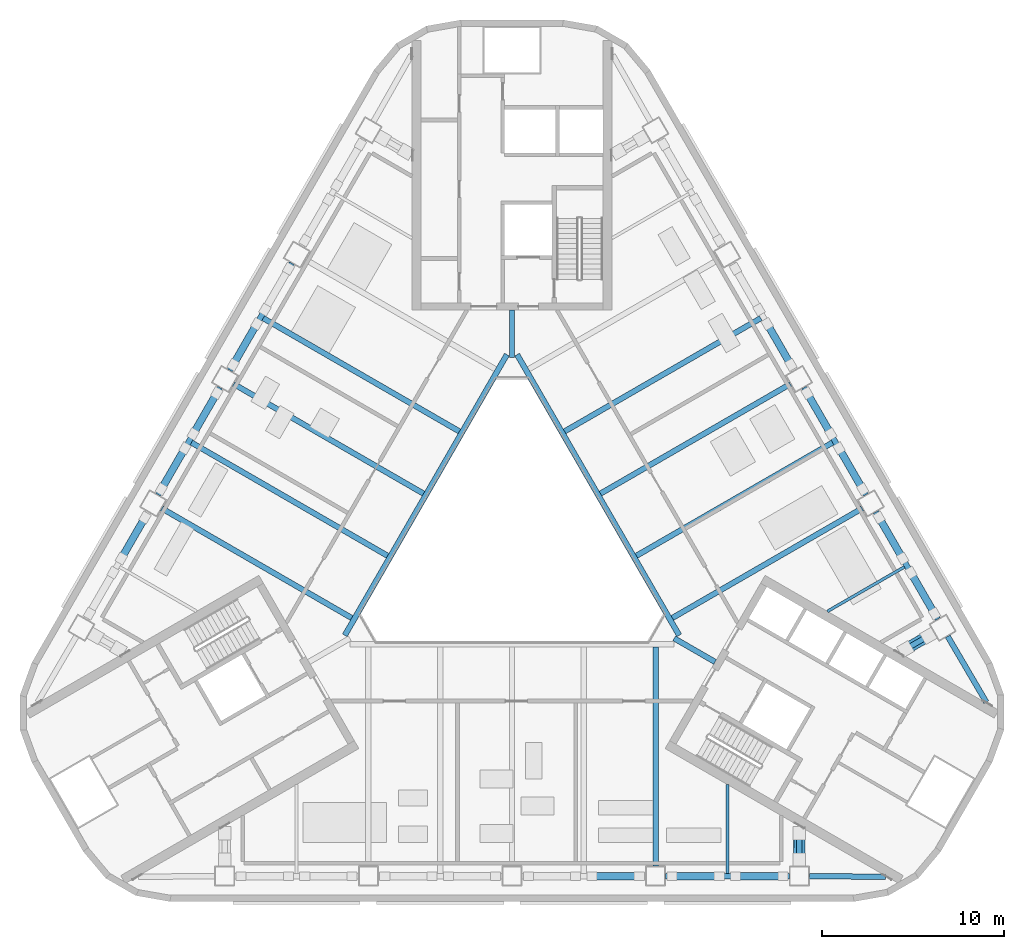
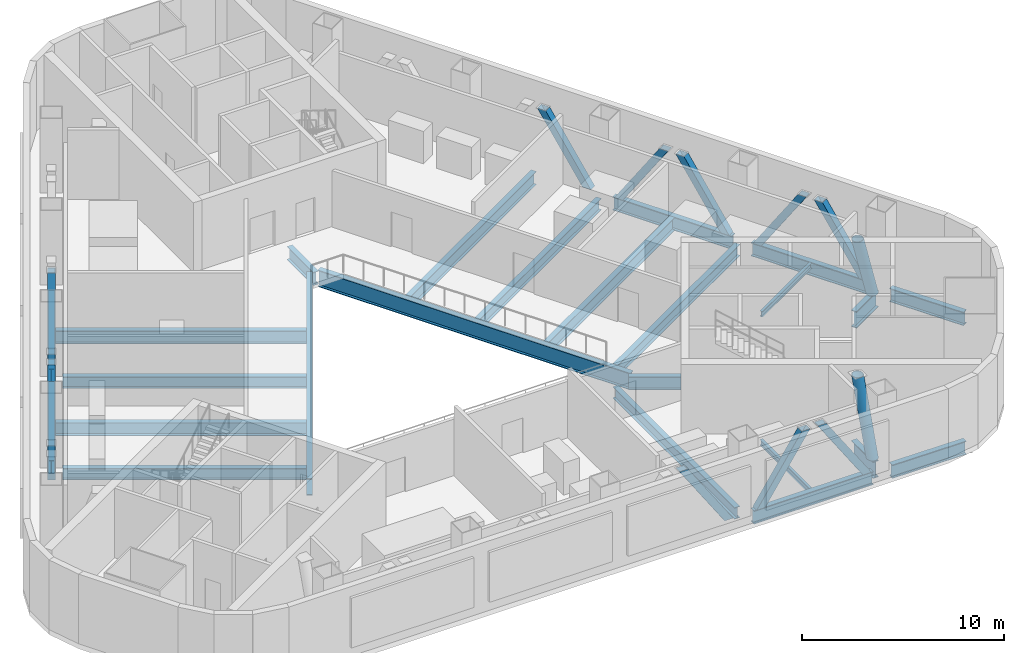
# One storey, part 2 of 15: 23 members, 15 beams.
"""IFC4 building model written with IfcOpenShell, lengths in metres."""

from ifc_helpers import new_model, si_unit, direction, frame, origin, origin_2d, place, context, subcontext, project, spatial, hollow_rectangle, hollow_circle, i_section, extrude, boolean, halfspace, material, material_profile, profile_set, type_object, element, save


model = new_model("IFC4")

# Units and contexts
model_context = context("Model", 3, precision=1e-05, world=origin(), true_north=direction((0.0, 1.0)))
body_context = subcontext(model_context, "Body", "Model", "MODEL_VIEW")
ifc_project = project(units=[si_unit("LENGTHUNIT", "METRE"), si_unit("AREAUNIT", "SQUARE_METRE"), si_unit("VOLUMEUNIT", "CUBIC_METRE"), si_unit("PLANEANGLEUNIT", "RADIAN"), si_unit("MASSUNIT", "GRAM", prefix="KILO")], contexts=[model_context])

# Site, building, storey
site_placement = place(None, origin())
site = spatial("IfcSite", under=ifc_project, at=site_placement, CompositionType="ELEMENT")
building_placement = place(site_placement, origin())
building = spatial("IfcBuilding", under=site, at=building_placement, Name="Apuvela Tower Hotel", CompositionType="ELEMENT")
storey_placement = place(building_placement, frame((0.0, 0.0, 37.5)))
storey = spatial("IfcBuildingStorey", under=building, at=storey_placement, Name="L06 Plant", CompositionType="ELEMENT", Elevation=37.5)

# Beams
ifc_material = material(Name="Steel S355", Category="steel")
ifc_material_profile_1 = material_profile(ifc_material, i_section(OverallWidth=0.300048828125, OverallDepth=0.68994140625, WebThickness=0.014404296875, FlangeThickness=0.027099609375, at=origin_2d()), Name="HE 700 A")
ifc_profile_set_1 = profile_set([ifc_material_profile_1], Name="Steel S355")
beam_type_1 = type_object("IfcBeamType", Name="STR-B floor beam HE 700 A", PredefinedType="BEAM", material=ifc_profile_set_1)
for number, where, z_axis, x_axis, name in (
    (1, (19.26123046875, 1.998291015625, -0.64501953125), (-0.866029136187, -0.499993535233, 0.0), (0.499993535233, -0.866029136187, 0.0), "Floor beam B6 NE3"),
    (2, (15.311279296875, 8.840087890625, -0.64501953125), (-0.866020368762, -0.500008720812, 0.0), (0.500008720812, -0.866020368762, 0.0), "Floor beam B6 NE5"),
    (3, (-15.311279296875, 8.840087890625, -0.64501953125), (0.866020368762, -0.500008720812, 0.0), (0.500008720812, 0.866020368762, 0.0), "Floor beam B6 NW5"),
    (4, (-19.26123046875, 1.998291015625, -0.64501953125), (0.866029136187, -0.499993535233, 0.0), (0.499993535233, 0.866029136187, 0.0), "Floor beam B6 NW7"),
    (5, (7.89990234375, -17.679931640625, -0.64501953125), (0.0, 1.0, 0.0), (-1.0, 0.0, 0.0), "Floor beam B6 S7"),
):
    element("IfcBeam", number, at=place(storey_placement, frame(where, z_axis=z_axis, x_axis=x_axis)), inside=storey, type_object=beam_type_1, Name=name, PredefinedType="BEAM", context=body_context, shape_type="SweptSolid", body=[
        extrude(i_section(OverallWidth=0.300048828125, OverallDepth=0.68994140625, WebThickness=0.014404296875, FlangeThickness=0.027099609375, at=origin_2d()), origin(), (0.0, 0.0, 1.0), 12.057861328125),
    ])
ifc_material_profile_2 = material_profile(ifc_material, i_section(OverallWidth=0.300048828125, OverallDepth=0.7900390625, WebThickness=0.014892578125, FlangeThickness=0.028076171875, at=origin_2d()), Name="HE 800 A")
ifc_profile_set_2 = profile_set([ifc_material_profile_2], Name="Steel S355")
beam_type_2 = type_object("IfcBeamType", Name="STR-B floor beam HE 800 A", PredefinedType="BEAM", material=ifc_profile_set_2)
for number, where, z_axis, x_axis, name in (
    (6, (17.63134765625, 5.618408203125, -0.695068359375), (-0.866023697878, -0.500002954704, 0.0), (0.500002954704, -0.866023697878, 0.0), "Floor beam B5 NE4"),
    (7, (13.681396484375, 12.460205078125, -0.695068359375), (-0.866015210969, -0.500017654059, 0.0), (0.500017654059, -0.866015210969, 0.0), "Floor beam B5 NE6"),
    (8, (-13.681396484375, 12.460205078125, -0.695068359375), (0.866015210969, -0.500017654059, 0.0), (0.500017654059, 0.866015210969, 0.0), "Floor beam B5 NW4"),
    (9, (-17.63134765625, 5.618408203125, -0.695068359375), (0.866023697878, -0.500002954704, 0.0), (0.500002954704, 0.866023697878, 0.0), "Floor beam B5 NW6"),
):
    element("IfcBeam", number, at=place(storey_placement, frame(where, z_axis=z_axis, x_axis=x_axis)), inside=storey, type_object=beam_type_2, Name=name, PredefinedType="BEAM", context=body_context, shape_type="SweptSolid", body=[
        extrude(i_section(OverallWidth=0.300048828125, OverallDepth=0.7900390625, WebThickness=0.014892578125, FlangeThickness=0.028076171875, at=origin_2d()), origin(), (0.0, 0.0, 1.0), 12.45654296875),
    ])
ifc_material_profile_3 = material_profile(ifc_material, i_section(OverallWidth=0.159912109375, OverallDepth=0.330078125, WebThickness=0.007568359375, FlangeThickness=0.011474609375, at=origin_2d()), Name="IPE 330")
ifc_profile_set_3 = profile_set([ifc_material_profile_3], Name="Steel S355")
beam_type_3 = type_object("IfcBeamType", Name="STR-B floor beam IPE 330", PredefinedType="BEAM", material=ifc_profile_set_3)
beam_1_placement = place(storey_placement, frame((21.581298828125, -1.22314453125, -0.465087890625), z_axis=(-0.866005010506, -0.500035320531, 0.0), x_axis=(0.500035320531, -0.866005010506, 0.0)))
element("IfcBeam", 10, at=beam_1_placement, inside=storey, type_object=beam_type_3, Name="Floor beam B1 NE2", PredefinedType="BEAM", context=body_context, shape_type="SweptSolid", body=[
    extrude(i_section(OverallWidth=0.159912109375, OverallDepth=0.330078125, WebThickness=0.007568359375, FlangeThickness=0.011474609375, at=origin_2d()), origin(), (0.0, 0.0, 1.0), 4.885986328125),
])
beam_2_placement = place(storey_placement, frame((11.85009765625, -18.07861328125, -0.465087890625), z_axis=(0.0, 1.0, 0.0), x_axis=(-1.0, 0.0, 0.0)))
element("IfcBeam", 11, at=beam_2_placement, inside=storey, type_object=beam_type_3, Name="Floor beam B1 S8", PredefinedType="BEAM", context=body_context, shape_type="SweptSolid", body=[
    extrude(i_section(OverallWidth=0.159912109375, OverallDepth=0.330078125, WebThickness=0.007568359375, FlangeThickness=0.011474609375, at=origin_2d()), origin(), (0.0, 0.0, 1.0), 4.88623046875),
])
ifc_material_profile_4 = material_profile(ifc_material, i_section(OverallWidth=0.302001953125, OverallDepth=1.008056640625, WebThickness=0.02099609375, FlangeThickness=0.0400390625, at=origin_2d()), Name="HE 1000 M")
ifc_profile_set_4 = profile_set([ifc_material_profile_4], Name="Steel S355")
beam_type_4 = type_object("IfcBeamType", Name="STR-G atrium ring girder HE 1000 M", PredefinedType="BEAM", material=ifc_profile_set_4)
for number, where, z_axis, x_axis, name in (
    (12, (-0.28076171875, 10.455810546875, -0.803955078125), (-0.500000611842, -0.866025050537, 0.0), (0.866025050537, -0.500000611842, 0.0), "Atrium ring girder G1 N-SW"),
    (13, (9.1953125, -4.984619140625, -0.803955078125), (-0.500000611842, 0.866025050537, 0.0), (-0.866025050537, -0.500000611842, 0.0), "Atrium ring girder G1 SE-N"),
):
    element("IfcBeam", number, at=place(storey_placement, frame(where, z_axis=z_axis, x_axis=x_axis)), inside=storey, type_object=beam_type_4, Name=name, PredefinedType="BEAM", context=body_context, shape_type="SweptSolid", body=[
        extrude(i_section(OverallWidth=0.302001953125, OverallDepth=1.008056640625, WebThickness=0.02099609375, FlangeThickness=0.0400390625, at=origin_2d()), origin(), (0.0, 0.0, 1.0), 17.8291015625),
    ])
ifc_material_profile_5 = material_profile(ifc_material, i_section(OverallWidth=0.300048828125, OverallDepth=0.800048828125, WebThickness=0.017578125, FlangeThickness=0.032958984375, at=origin_2d()), Name="HE 800 B")
ifc_profile_set_5 = profile_set([ifc_material_profile_5], Name="Steel S355")
beam_type_5 = type_object("IfcBeamType", Name="STR-GT core tie beam HE 800 B", PredefinedType="BEAM", material=ifc_profile_set_5)
for number, where, z_axis, x_axis, name in (
    (14, (0.0, 12.89990234375, -0.699951171875), (0.0, -1.0, 0.0), (1.0, 0.0, 0.0), "Core tie beam GT1 N"),
    (15, (11.171630859375, -6.449951171875, -0.699951171875), (-0.865997922154, 0.500047596559, 0.0), (-0.500047596559, -0.865997922154, 0.0), "Core tie beam GT1 SE"),
):
    element("IfcBeam", number, at=place(storey_placement, frame(where, z_axis=z_axis, x_axis=x_axis)), inside=storey, type_object=beam_type_5, Name=name, PredefinedType="BEAM", context=body_context, shape_type="SweptSolid", body=[
        extrude(i_section(OverallWidth=0.300048828125, OverallDepth=0.800048828125, WebThickness=0.017578125, FlangeThickness=0.032958984375, at=origin_2d()), origin(), (0.0, 0.0, 1.0), 2.599853515625),
    ])

# Members
ifc_material_profile_6 = material_profile(ifc_material, i_section(OverallWidth=0.302978515625, OverallDepth=0.81396484375, WebThickness=0.02099609375, FlangeThickness=0.0400390625, at=origin_2d()), Name="HE 800 M")
ifc_profile_set_6 = profile_set([ifc_material_profile_6], Name="Steel S355")
member_type_1 = type_object("IfcMemberType", Name="STR-T0 belt truss chord HE 800 M", PredefinedType="CHORD", material=ifc_profile_set_6)
member_1_placement = place(storey_placement, frame((8.449951171875, -18.22998046875, -0.70703125), z_axis=(1.0, 0.0, 0.0), x_axis=(0.0, 1.0, 0.0)))
element("IfcMember", 16, at=member_1_placement, inside=storey, type_object=member_type_1, Name="Belt chord BT1 S4", PredefinedType="CHORD", context=body_context, shape_type="SweptSolid", body=[
    extrude(i_section(OverallWidth=0.302978515625, OverallDepth=0.81396484375, WebThickness=0.02099609375, FlangeThickness=0.0400390625, at=origin_2d()), origin(), (0.0, 0.0, 1.0), 6.800048828125),
])
member_2_placement = place(storey_placement, frame((23.41259765625, -4.091796875, -0.70703125), z_axis=(-0.499992841449, 0.866029536736, 0.0), x_axis=(-0.866029536736, -0.499992841449, 0.0)))
element("IfcMember", 17, at=member_2_placement, inside=storey, type_object=member_type_1, Name="Belt chord BT1 NE1", PredefinedType="CHORD", context=body_context, shape_type="SweptSolid", body=[
    extrude(i_section(OverallWidth=0.302978515625, OverallDepth=0.81396484375, WebThickness=0.02099609375, FlangeThickness=0.0400390625, at=origin_2d()), origin(), (0.0, 0.0, 1.0), 6.7998046875),
])
for number, where, z_axis, x_axis, name in (
    (18, (19.462646484375, 2.749755859375, -0.70703125), (-0.500019768644, 0.866013990052, 0.0), (-0.866013990052, -0.500019768644, 0.0), "Belt chord BT1 NE2"),
    (19, (-12.112548828125, 15.480224609375, -0.70703125), (-0.500019768644, -0.866013990052, 0.0), (0.866013990052, -0.500019768644, 0.0), "Belt chord BT1 NW2"),
    (20, (-16.0625, 8.638671875, -0.70703125), (-0.500019768644, -0.866013990052, 0.0), (0.866013990052, -0.500019768644, 0.0), "Belt chord BT1 NW3"),
):
    element("IfcMember", number, at=place(storey_placement, frame(where, z_axis=z_axis, x_axis=x_axis)), inside=storey, type_object=member_type_1, Name=name, PredefinedType="CHORD", context=body_context, shape_type="SweptSolid", body=[
        extrude(i_section(OverallWidth=0.302978515625, OverallDepth=0.81396484375, WebThickness=0.02099609375, FlangeThickness=0.0400390625, at=origin_2d()), origin(), (0.0, 0.0, 1.0), 6.800048828125),
    ])
member_3_placement = place(storey_placement, frame((16.35009765625, -18.23388671875, -0.70703125), z_axis=(0.999976495178, -0.006856317631, 0.0), x_axis=(0.006856317631, 0.999976495178, 0.0)))
element("IfcMember", 21, at=member_3_placement, inside=storey, type_object=member_type_1, Name="Belt chord BT1 S5-SE", PredefinedType="CHORD", context=body_context, shape_type="SweptSolid", body=[
    extrude(i_section(OverallWidth=0.302978515625, OverallDepth=0.81396484375, WebThickness=0.02099609375, FlangeThickness=0.0400390625, at=origin_2d()), origin(), (0.0, 0.0, 1.0), 4.20166015625),
])
member_4_placement = place(storey_placement, frame((23.9658203125, -5.04248046875, -0.70703125), z_axis=(0.505943145698, -0.862566828322, 0.0), x_axis=(0.862566828322, 0.505943145698, 0.0)))
element("IfcMember", 22, at=member_4_placement, inside=storey, type_object=member_type_1, Name="Belt chord BT1 NE1-SE", PredefinedType="CHORD", context=body_context, shape_type="SweptSolid", body=[
    extrude(i_section(OverallWidth=0.302978515625, OverallDepth=0.81396484375, WebThickness=0.02099609375, FlangeThickness=0.0400390625, at=origin_2d()), origin(), (0.0, 0.0, 1.0), 4.201904296875),
])
ifc_material_profile_7 = material_profile(ifc_material, hollow_rectangle(XDim=0.39990234375, YDim=0.39990234375, WallThickness=0.02001953125, at=origin_2d()), Name="SHS 400x400x20")
ifc_profile_set_7 = profile_set([ifc_material_profile_7], Name="Steel S355")
member_type_2 = type_object("IfcMemberType", Name="STR-T0 belt truss diagonal SHS 400x400x20", PredefinedType="BRACE", material=ifc_profile_set_7)
member_5_placement = place(storey_placement, frame((7.0, -18.22998046875, -0.300048828125), z_axis=(-0.554700196225, 0.0, 0.832050294338), x_axis=(0.832050294338, 0.0, 0.554700196225)))
solid_1 = boolean("DIFFERENCE", boolean("DIFFERENCE", extrude(hollow_rectangle(XDim=0.39990234375, YDim=0.39990234375, WallThickness=0.02001953125, at=origin_2d()), frame((0.0, 0.0, -0.25341796875)), (0.0, 0.0, 1.0), 5.194091796875), halfspace(frame((0.0, 0.0, 0.024169921875), z_axis=(0.554700196225, 0.0, 0.832050294338), x_axis=(0.832050294338, 0.0, -0.554700196225)), True)), halfspace(frame((0.0, 0.0, 4.663330078125), z_axis=(0.554700196225, 0.0, 0.832050294338), x_axis=(0.832050294338, 0.0, -0.554700196225)), False))
element("IfcMember", 23, at=member_5_placement, inside=storey, type_object=member_type_2, Name="Belt truss diagonal BR1 S3", PredefinedType="BRACE", context=body_context, shape_type="SweptSolid", body=[
    boolean("UNION", boolean("DIFFERENCE", boolean("DIFFERENCE", extrude(hollow_rectangle(XDim=0.39990234375, YDim=0.39990234375, WallThickness=0.02001953125, at=origin_2d()), origin(), (0.0, 0.0, 1.0), 4.6875), halfspace(frame((0.0, 0.0, 0.024169921875), z_axis=(0.554700196225, 0.0, 0.832050294338), x_axis=(0.832050294338, 0.0, -0.554700196225)), True)), halfspace(frame((0.0, 0.0, 4.663330078125), z_axis=(0.554700196225, 0.0, 0.832050294338), x_axis=(0.832050294338, 0.0, -0.554700196225)), False)), solid_1),
])
member_6_placement = place(storey_placement, frame((8.800048828125, -18.22998046875, -0.300048828125), z_axis=(0.554664136145, 0.0, 0.832074333263), x_axis=(-0.832074333263, 0.0, 0.554664136145)))
solid_2 = boolean("DIFFERENCE", boolean("DIFFERENCE", extrude(hollow_rectangle(XDim=0.39990234375, YDim=0.39990234375, WallThickness=0.02001953125, at=origin_2d()), frame((0.0, 0.0, -0.25341796875)), (0.0, 0.0, 1.0), 5.19384765625), halfspace(frame((0.0, 0.0, 0.024169921875), z_axis=(0.554664136145, 0.0, 0.832074333263), x_axis=(0.832074333263, 0.0, -0.554664136145)), True)), halfspace(frame((0.0, 0.0, 4.6630859375), z_axis=(0.554664136145, 0.0, 0.832074333263), x_axis=(0.832074333263, 0.0, -0.554664136145)), False))
element("IfcMember", 24, at=member_6_placement, inside=storey, type_object=member_type_2, Name="Belt truss diagonal BR1 S4", PredefinedType="BRACE", context=body_context, shape_type="SweptSolid", body=[
    boolean("UNION", boolean("DIFFERENCE", boolean("DIFFERENCE", extrude(hollow_rectangle(XDim=0.39990234375, YDim=0.39990234375, WallThickness=0.02001953125, at=origin_2d()), origin(), (0.0, 0.0, 1.0), 4.687255859375), halfspace(frame((0.0, 0.0, 0.024169921875), z_axis=(0.554664136145, 0.0, 0.832074333263), x_axis=(0.832074333263, 0.0, -0.554664136145)), True)), halfspace(frame((0.0, 0.0, 4.6630859375), z_axis=(0.554664136145, 0.0, 0.832074333263), x_axis=(0.832074333263, 0.0, -0.554664136145)), False)), solid_2),
])
member_7_placement = place(storey_placement, frame((14.89990234375, -18.22998046875, -0.300048828125), z_axis=(-0.554664136145, 0.0, 0.832074333263), x_axis=(0.832074333263, 0.0, 0.554664136145)))
solid_3 = boolean("DIFFERENCE", boolean("DIFFERENCE", extrude(hollow_rectangle(XDim=0.39990234375, YDim=0.39990234375, WallThickness=0.02001953125, at=origin_2d()), frame((0.0, 0.0, -0.25341796875)), (0.0, 0.0, 1.0), 5.19384765625), halfspace(frame((0.0, 0.0, 0.024169921875), z_axis=(0.554664136145, 0.0, 0.832074333263), x_axis=(0.832074333263, 0.0, -0.554664136145)), True)), halfspace(frame((0.0, 0.0, 4.6630859375), z_axis=(0.554664136145, 0.0, 0.832074333263), x_axis=(0.832074333263, 0.0, -0.554664136145)), False))
element("IfcMember", 25, at=member_7_placement, inside=storey, type_object=member_type_2, Name="Belt truss diagonal BR1 S4", PredefinedType="BRACE", context=body_context, shape_type="SweptSolid", body=[
    boolean("UNION", boolean("DIFFERENCE", boolean("DIFFERENCE", extrude(hollow_rectangle(XDim=0.39990234375, YDim=0.39990234375, WallThickness=0.02001953125, at=origin_2d()), origin(), (0.0, 0.0, 1.0), 4.687255859375), halfspace(frame((0.0, 0.0, 0.024169921875), z_axis=(0.554664136145, 0.0, 0.832074333263), x_axis=(0.832074333263, 0.0, -0.554664136145)), True)), halfspace(frame((0.0, 0.0, 4.6630859375), z_axis=(0.554664136145, 0.0, 0.832074333263), x_axis=(0.832074333263, 0.0, -0.554664136145)), False)), solid_3),
])
member_8_placement = place(storey_placement, frame((23.237548828125, -3.788818359375, -0.300048828125), z_axis=(-0.277351281637, 0.48037762827, 0.832053844911), x_axis=(0.416032692245, -0.720576435789, 0.554694870328)))
solid_4 = boolean("DIFFERENCE", boolean("DIFFERENCE", extrude(hollow_rectangle(XDim=0.39990234375, YDim=0.39990234375, WallThickness=0.02001953125, at=origin_2d()), frame((0.0, 0.0, -0.25341796875)), (0.0, 0.0, 1.0), 5.194091796875), halfspace(frame((0.0, 0.0, 0.024169921875), z_axis=(0.554694870328, 0.0, 0.832053844911), x_axis=(0.832053844911, 0.0, -0.554694870328)), True)), halfspace(frame((0.0, 0.0, 4.663330078125), z_axis=(0.554694870328, 0.0, 0.832053844911), x_axis=(0.832053844911, 0.0, -0.554694870328)), False))
element("IfcMember", 26, at=member_8_placement, inside=storey, type_object=member_type_2, Name="Belt truss diagonal BR1 NE1", PredefinedType="BRACE", context=body_context, shape_type="SweptSolid", body=[
    boolean("UNION", boolean("DIFFERENCE", boolean("DIFFERENCE", extrude(hollow_rectangle(XDim=0.39990234375, YDim=0.39990234375, WallThickness=0.02001953125, at=origin_2d()), origin(), (0.0, 0.0, 1.0), 4.687255859375), halfspace(frame((0.0, 0.0, 0.024169921875), z_axis=(0.554694870328, 0.0, 0.832053844911), x_axis=(0.832053844911, 0.0, -0.554694870328)), True)), halfspace(frame((0.0, 0.0, 4.663330078125), z_axis=(0.554694870328, 0.0, 0.832053844911), x_axis=(0.832053844911, 0.0, -0.554694870328)), False)), solid_4),
])
member_9_placement = place(storey_placement, frame((20.1875, 1.493896484375, -0.300048828125), z_axis=(0.277351281637, -0.48037762827, 0.832053844911), x_axis=(-0.416032692245, 0.720576435789, 0.554694870328)))
solid_5 = boolean("DIFFERENCE", boolean("DIFFERENCE", extrude(hollow_rectangle(XDim=0.39990234375, YDim=0.39990234375, WallThickness=0.02001953125, at=origin_2d()), frame((0.0, 0.0, -0.25341796875)), (0.0, 0.0, 1.0), 5.194091796875), halfspace(frame((0.0, 0.0, 0.024169921875), z_axis=(0.554694870328, 0.0, 0.832053844911), x_axis=(0.832053844911, 0.0, -0.554694870328)), True)), halfspace(frame((0.0, 0.0, 4.663330078125), z_axis=(0.554694870328, 0.0, 0.832053844911), x_axis=(0.832053844911, 0.0, -0.554694870328)), False))
element("IfcMember", 27, at=member_9_placement, inside=storey, type_object=member_type_2, Name="Belt truss diagonal BR1 NE1", PredefinedType="BRACE", context=body_context, shape_type="SweptSolid", body=[
    boolean("UNION", boolean("DIFFERENCE", boolean("DIFFERENCE", extrude(hollow_rectangle(XDim=0.39990234375, YDim=0.39990234375, WallThickness=0.02001953125, at=origin_2d()), origin(), (0.0, 0.0, 1.0), 4.687255859375), halfspace(frame((0.0, 0.0, 0.024169921875), z_axis=(0.554694870328, 0.0, 0.832053844911), x_axis=(0.832053844911, 0.0, -0.554694870328)), True)), halfspace(frame((0.0, 0.0, 4.663330078125), z_axis=(0.554694870328, 0.0, 0.832053844911), x_axis=(0.832053844911, 0.0, -0.554694870328)), False)), solid_5),
])
member_10_placement = place(storey_placement, frame((19.28759765625, 3.052734375, -0.300048828125), z_axis=(-0.277351281637, 0.48037762827, 0.832053844911), x_axis=(0.416032692245, -0.720576435789, 0.554694870328)))
solid_6 = boolean("DIFFERENCE", boolean("DIFFERENCE", extrude(hollow_rectangle(XDim=0.39990234375, YDim=0.39990234375, WallThickness=0.02001953125, at=origin_2d()), frame((0.0, 0.0, -0.25341796875)), (0.0, 0.0, 1.0), 5.194091796875), halfspace(frame((0.0, 0.0, 0.024169921875), z_axis=(0.554694870328, 0.0, 0.832053844911), x_axis=(0.832053844911, 0.0, -0.554694870328)), True)), halfspace(frame((0.0, 0.0, 4.663330078125), z_axis=(0.554694870328, 0.0, 0.832053844911), x_axis=(0.832053844911, 0.0, -0.554694870328)), False))
element("IfcMember", 28, at=member_10_placement, inside=storey, type_object=member_type_2, Name="Belt truss diagonal BR1 NE2", PredefinedType="BRACE", context=body_context, shape_type="SweptSolid", body=[
    boolean("UNION", boolean("DIFFERENCE", boolean("DIFFERENCE", extrude(hollow_rectangle(XDim=0.39990234375, YDim=0.39990234375, WallThickness=0.02001953125, at=origin_2d()), origin(), (0.0, 0.0, 1.0), 4.687255859375), halfspace(frame((0.0, 0.0, 0.024169921875), z_axis=(0.554694870328, 0.0, 0.832053844911), x_axis=(0.832053844911, 0.0, -0.554694870328)), True)), halfspace(frame((0.0, 0.0, 4.663330078125), z_axis=(0.554694870328, 0.0, 0.832053844911), x_axis=(0.832053844911, 0.0, -0.554694870328)), False)), solid_6),
])
member_11_placement = place(storey_placement, frame((16.237548828125, 8.335693359375, -0.300048828125), z_axis=(0.277351281637, -0.48037762827, 0.832053844911), x_axis=(-0.416032692245, 0.720576435789, 0.554694870328)))
solid_7 = boolean("DIFFERENCE", boolean("DIFFERENCE", extrude(hollow_rectangle(XDim=0.39990234375, YDim=0.39990234375, WallThickness=0.02001953125, at=origin_2d()), frame((0.0, 0.0, -0.25341796875)), (0.0, 0.0, 1.0), 5.194091796875), halfspace(frame((0.0, 0.0, 0.024169921875), z_axis=(0.554694870328, 0.0, 0.832053844911), x_axis=(0.832053844911, 0.0, -0.554694870328)), True)), halfspace(frame((0.0, 0.0, 4.663330078125), z_axis=(0.554694870328, 0.0, 0.832053844911), x_axis=(0.832053844911, 0.0, -0.554694870328)), False))
element("IfcMember", 29, at=member_11_placement, inside=storey, type_object=member_type_2, Name="Belt truss diagonal BR1 NE2", PredefinedType="BRACE", context=body_context, shape_type="SweptSolid", body=[
    boolean("UNION", boolean("DIFFERENCE", boolean("DIFFERENCE", extrude(hollow_rectangle(XDim=0.39990234375, YDim=0.39990234375, WallThickness=0.02001953125, at=origin_2d()), origin(), (0.0, 0.0, 1.0), 4.687255859375), halfspace(frame((0.0, 0.0, 0.024169921875), z_axis=(0.554694870328, 0.0, 0.832053844911), x_axis=(0.832053844911, 0.0, -0.554694870328)), True)), halfspace(frame((0.0, 0.0, 4.663330078125), z_axis=(0.554694870328, 0.0, 0.832053844911), x_axis=(0.832053844911, 0.0, -0.554694870328)), False)), solid_7),
])
member_12_placement = place(storey_placement, frame((15.337646484375, 9.894287109375, -0.300048828125), z_axis=(-0.277351281637, 0.48037762827, 0.832053844911), x_axis=(0.416032692245, -0.720576435789, 0.554694870328)))
solid_8 = boolean("DIFFERENCE", boolean("DIFFERENCE", extrude(hollow_rectangle(XDim=0.39990234375, YDim=0.39990234375, WallThickness=0.02001953125, at=origin_2d()), frame((0.0, 0.0, -0.25341796875)), (0.0, 0.0, 1.0), 5.194091796875), halfspace(frame((0.0, 0.0, 0.024169921875), z_axis=(0.554694870328, 0.0, 0.832053844911), x_axis=(0.832053844911, 0.0, -0.554694870328)), True)), halfspace(frame((0.0, 0.0, 4.663330078125), z_axis=(0.554694870328, 0.0, 0.832053844911), x_axis=(0.832053844911, 0.0, -0.554694870328)), False))
element("IfcMember", 30, at=member_12_placement, inside=storey, type_object=member_type_2, Name="Belt truss diagonal BR1 NE3", PredefinedType="BRACE", context=body_context, shape_type="SweptSolid", body=[
    boolean("UNION", boolean("DIFFERENCE", boolean("DIFFERENCE", extrude(hollow_rectangle(XDim=0.39990234375, YDim=0.39990234375, WallThickness=0.02001953125, at=origin_2d()), origin(), (0.0, 0.0, 1.0), 4.687255859375), halfspace(frame((0.0, 0.0, 0.024169921875), z_axis=(0.554694870328, 0.0, 0.832053844911), x_axis=(0.832053844911, 0.0, -0.554694870328)), True)), halfspace(frame((0.0, 0.0, 4.663330078125), z_axis=(0.554694870328, 0.0, 0.832053844911), x_axis=(0.832053844911, 0.0, -0.554694870328)), False)), solid_8),
])
member_13_placement = place(storey_placement, frame((-15.337646484375, 9.894287109375, -0.300048828125), z_axis=(0.277351281637, 0.48037762827, 0.832053844911), x_axis=(-0.416032692245, -0.720576435789, 0.554694870328)))
solid_9 = boolean("DIFFERENCE", boolean("DIFFERENCE", extrude(hollow_rectangle(XDim=0.39990234375, YDim=0.39990234375, WallThickness=0.02001953125, at=origin_2d()), frame((0.0, 0.0, -0.25341796875)), (0.0, 0.0, 1.0), 5.194091796875), halfspace(frame((0.0, 0.0, 0.024169921875), z_axis=(0.554694870328, 0.0, 0.832053844911), x_axis=(0.832053844911, 0.0, -0.554694870328)), True)), halfspace(frame((0.0, 0.0, 4.663330078125), z_axis=(0.554694870328, 0.0, 0.832053844911), x_axis=(0.832053844911, 0.0, -0.554694870328)), False))
element("IfcMember", 31, at=member_13_placement, inside=storey, type_object=member_type_2, Name="Belt truss diagonal BR1 NW2", PredefinedType="BRACE", context=body_context, shape_type="SweptSolid", body=[
    boolean("UNION", boolean("DIFFERENCE", boolean("DIFFERENCE", extrude(hollow_rectangle(XDim=0.39990234375, YDim=0.39990234375, WallThickness=0.02001953125, at=origin_2d()), origin(), (0.0, 0.0, 1.0), 4.687255859375), halfspace(frame((0.0, 0.0, 0.024169921875), z_axis=(0.554694870328, 0.0, 0.832053844911), x_axis=(0.832053844911, 0.0, -0.554694870328)), True)), halfspace(frame((0.0, 0.0, 4.663330078125), z_axis=(0.554694870328, 0.0, 0.832053844911), x_axis=(0.832053844911, 0.0, -0.554694870328)), False)), solid_9),
])
member_14_placement = place(storey_placement, frame((-16.237548828125, 8.335693359375, -0.300048828125), z_axis=(-0.277351281637, -0.48037762827, 0.832053844911), x_axis=(0.416032692245, 0.720576435789, 0.554694870328)))
solid_10 = boolean("DIFFERENCE", boolean("DIFFERENCE", extrude(hollow_rectangle(XDim=0.39990234375, YDim=0.39990234375, WallThickness=0.02001953125, at=origin_2d()), frame((0.0, 0.0, -0.25341796875)), (0.0, 0.0, 1.0), 5.194091796875), halfspace(frame((0.0, 0.0, 0.024169921875), z_axis=(0.554694870328, 0.0, 0.832053844911), x_axis=(0.832053844911, 0.0, -0.554694870328)), True)), halfspace(frame((0.0, 0.0, 4.663330078125), z_axis=(0.554694870328, 0.0, 0.832053844911), x_axis=(0.832053844911, 0.0, -0.554694870328)), False))
element("IfcMember", 32, at=member_14_placement, inside=storey, type_object=member_type_2, Name="Belt truss diagonal BR1 NW3", PredefinedType="BRACE", context=body_context, shape_type="SweptSolid", body=[
    boolean("UNION", boolean("DIFFERENCE", boolean("DIFFERENCE", extrude(hollow_rectangle(XDim=0.39990234375, YDim=0.39990234375, WallThickness=0.02001953125, at=origin_2d()), origin(), (0.0, 0.0, 1.0), 4.687255859375), halfspace(frame((0.0, 0.0, 0.024169921875), z_axis=(0.554694870328, 0.0, 0.832053844911), x_axis=(0.832053844911, 0.0, -0.554694870328)), True)), halfspace(frame((0.0, 0.0, 4.663330078125), z_axis=(0.554694870328, 0.0, 0.832053844911), x_axis=(0.832053844911, 0.0, -0.554694870328)), False)), solid_10),
])
member_15_placement = place(storey_placement, frame((-19.28759765625, 3.052734375, -0.300048828125), z_axis=(0.277351281637, 0.48037762827, 0.832053844911), x_axis=(-0.416032692245, -0.720576435789, 0.554694870328)))
solid_11 = boolean("DIFFERENCE", boolean("DIFFERENCE", extrude(hollow_rectangle(XDim=0.39990234375, YDim=0.39990234375, WallThickness=0.02001953125, at=origin_2d()), frame((0.0, 0.0, -0.25341796875)), (0.0, 0.0, 1.0), 5.194091796875), halfspace(frame((0.0, 0.0, 0.024169921875), z_axis=(0.554694870328, 0.0, 0.832053844911), x_axis=(0.832053844911, 0.0, -0.554694870328)), True)), halfspace(frame((0.0, 0.0, 4.663330078125), z_axis=(0.554694870328, 0.0, 0.832053844911), x_axis=(0.832053844911, 0.0, -0.554694870328)), False))
element("IfcMember", 33, at=member_15_placement, inside=storey, type_object=member_type_2, Name="Belt truss diagonal BR1 NW3", PredefinedType="BRACE", context=body_context, shape_type="SweptSolid", body=[
    boolean("UNION", boolean("DIFFERENCE", boolean("DIFFERENCE", extrude(hollow_rectangle(XDim=0.39990234375, YDim=0.39990234375, WallThickness=0.02001953125, at=origin_2d()), origin(), (0.0, 0.0, 1.0), 4.687255859375), halfspace(frame((0.0, 0.0, 0.024169921875), z_axis=(0.554694870328, 0.0, 0.832053844911), x_axis=(0.832053844911, 0.0, -0.554694870328)), True)), halfspace(frame((0.0, 0.0, 4.663330078125), z_axis=(0.554694870328, 0.0, 0.832053844911), x_axis=(0.832053844911, 0.0, -0.554694870328)), False)), solid_11),
])
member_16_placement = place(storey_placement, frame((-20.1875, 1.493896484375, -0.300048828125), z_axis=(-0.277351281637, -0.48037762827, 0.832053844911), x_axis=(0.416032692245, 0.720576435789, 0.554694870328)))
solid_12 = boolean("DIFFERENCE", boolean("DIFFERENCE", extrude(hollow_rectangle(XDim=0.39990234375, YDim=0.39990234375, WallThickness=0.02001953125, at=origin_2d()), frame((0.0, 0.0, -0.25341796875)), (0.0, 0.0, 1.0), 5.194091796875), halfspace(frame((0.0, 0.0, 0.024169921875), z_axis=(0.554694870328, 0.0, 0.832053844911), x_axis=(0.832053844911, 0.0, -0.554694870328)), True)), halfspace(frame((0.0, 0.0, 4.663330078125), z_axis=(0.554694870328, 0.0, 0.832053844911), x_axis=(0.832053844911, 0.0, -0.554694870328)), False))
element("IfcMember", 34, at=member_16_placement, inside=storey, type_object=member_type_2, Name="Belt truss diagonal BR1 NW4", PredefinedType="BRACE", context=body_context, shape_type="SweptSolid", body=[
    boolean("UNION", boolean("DIFFERENCE", boolean("DIFFERENCE", extrude(hollow_rectangle(XDim=0.39990234375, YDim=0.39990234375, WallThickness=0.02001953125, at=origin_2d()), origin(), (0.0, 0.0, 1.0), 4.687255859375), halfspace(frame((0.0, 0.0, 0.024169921875), z_axis=(0.554694870328, 0.0, 0.832053844911), x_axis=(0.832053844911, 0.0, -0.554694870328)), True)), halfspace(frame((0.0, 0.0, 4.663330078125), z_axis=(0.554694870328, 0.0, 0.832053844911), x_axis=(0.832053844911, 0.0, -0.554694870328)), False)), solid_12),
])
ifc_material_profile_8 = material_profile(ifc_material, i_section(OverallWidth=0.302001953125, OverallDepth=1.008056640625, WebThickness=0.02099609375, FlangeThickness=0.0400390625, at=origin_2d()), Name="HE 1000 M")
ifc_profile_set_8 = profile_set([ifc_material_profile_8], Name="Steel S355")
member_type_3 = type_object("IfcMemberType", Name="STR-T0 outrigger truss chord HE 1000 M", PredefinedType="CHORD", material=ifc_profile_set_8)
for number, where, z_axis, x_axis, name in (
    (35, (23.211181640625, -4.84326171875, -0.803955078125), (-0.866016227542, -0.500015893381, 0.0), (0.500015893381, -0.866016227542, 0.0), "Outrigger chord OC1 NE1"),
    (36, (15.800048828125, -17.679931640625, -0.803955078125), (0.0, 1.0, 0.0), (-1.0, 0.0, 0.0), "Outrigger chord OC1 S5"),
):
    element("IfcMember", number, at=place(storey_placement, frame(where, z_axis=z_axis, x_axis=x_axis)), inside=storey, type_object=member_type_3, Name=name, PredefinedType="CHORD", context=body_context, shape_type="SweptSolid", body=[
        extrude(i_section(OverallWidth=0.302001953125, OverallDepth=1.008056640625, WebThickness=0.02099609375, FlangeThickness=0.0400390625, at=origin_2d()), origin(), (0.0, 0.0, 1.0), 2.16064453125),
    ])
ifc_material_profile_9 = material_profile(ifc_material, hollow_circle(Radius=0.304931640625, WallThickness=0.02490234375, at=origin_2d()), Name="CHS 610x25")
ifc_profile_set_9 = profile_set([ifc_material_profile_9], Name="Steel S355")
member_type_4 = type_object("IfcMemberType", Name="STR-T0 outrigger truss diagonal CHS 610x25", PredefinedType="BRACE", material=ifc_profile_set_9)
member_17_placement = place(storey_placement, frame((22.908203125, -5.018310546875, -0.300048828125), z_axis=(-0.28632029481, -0.16526128942, 0.943774016913), x_axis=(0.817388896845, 0.471788921355, 0.330591296015)))
solid_13 = boolean("DIFFERENCE", boolean("DIFFERENCE", extrude(hollow_circle(Radius=0.304931640625, WallThickness=0.02490234375, at=origin_2d()), frame((0.0, 0.0, -0.226806640625)), (0.0, 0.0, 1.0), 4.872314453125), halfspace(frame((0.0, 0.0, 0.021240234375), z_axis=(0.330591296015, 0.0, 0.943774016913), x_axis=(0.943774016913, 0.0, -0.330591296015)), True)), halfspace(frame((0.0, 0.0, 4.397216796875), z_axis=(0.330591296015, 0.0, 0.943774016913), x_axis=(0.943774016913, 0.0, -0.330591296015)), False))
element("IfcMember", 37, at=member_17_placement, inside=storey, type_object=member_type_4, Name="Outrigger diagonal OD1 NE1", PredefinedType="BRACE", context=body_context, shape_type="SweptSolid", body=[
    boolean("UNION", boolean("DIFFERENCE", boolean("DIFFERENCE", extrude(hollow_circle(Radius=0.304931640625, WallThickness=0.02490234375, at=origin_2d()), origin(), (0.0, 0.0, 1.0), 4.418701171875), halfspace(frame((0.0, 0.0, 0.021240234375), z_axis=(0.330591296015, 0.0, 0.943774016913), x_axis=(0.943774016913, 0.0, -0.330591296015)), True)), halfspace(frame((0.0, 0.0, 4.397216796875), z_axis=(0.330591296015, 0.0, 0.943774016913), x_axis=(0.943774016913, 0.0, -0.330591296015)), False)), solid_13),
])
member_18_placement = place(storey_placement, frame((15.800048828125, -17.330078125, -0.300048828125), z_axis=(0.0, 0.330628516685, 0.94376097819), x_axis=(0.0, -0.94376097819, 0.330628516685)))
solid_14 = boolean("DIFFERENCE", boolean("DIFFERENCE", extrude(hollow_circle(Radius=0.304931640625, WallThickness=0.02490234375, at=origin_2d()), frame((0.0, 0.0, -0.226806640625)), (0.0, 0.0, 1.0), 4.872314453125), halfspace(frame((0.0, 0.0, 0.021240234375), z_axis=(0.330628516685, 0.0, 0.94376097819), x_axis=(0.94376097819, 0.0, -0.330628516685)), True)), halfspace(frame((0.0, 0.0, 4.3974609375), z_axis=(0.330628516685, 0.0, 0.94376097819), x_axis=(0.94376097819, 0.0, -0.330628516685)), False))
element("IfcMember", 38, at=member_18_placement, inside=storey, type_object=member_type_4, Name="Outrigger diagonal OD1 S5", PredefinedType="BRACE", context=body_context, shape_type="SweptSolid", body=[
    boolean("UNION", boolean("DIFFERENCE", boolean("DIFFERENCE", extrude(hollow_circle(Radius=0.304931640625, WallThickness=0.02490234375, at=origin_2d()), origin(), (0.0, 0.0, 1.0), 4.418701171875), halfspace(frame((0.0, 0.0, 0.021240234375), z_axis=(0.330628516685, 0.0, 0.94376097819), x_axis=(0.94376097819, 0.0, -0.330628516685)), True)), halfspace(frame((0.0, 0.0, 4.3974609375), z_axis=(0.330628516685, 0.0, 0.94376097819), x_axis=(0.94376097819, 0.0, -0.330628516685)), False)), solid_14),
])

save(model, "model.ifc")
